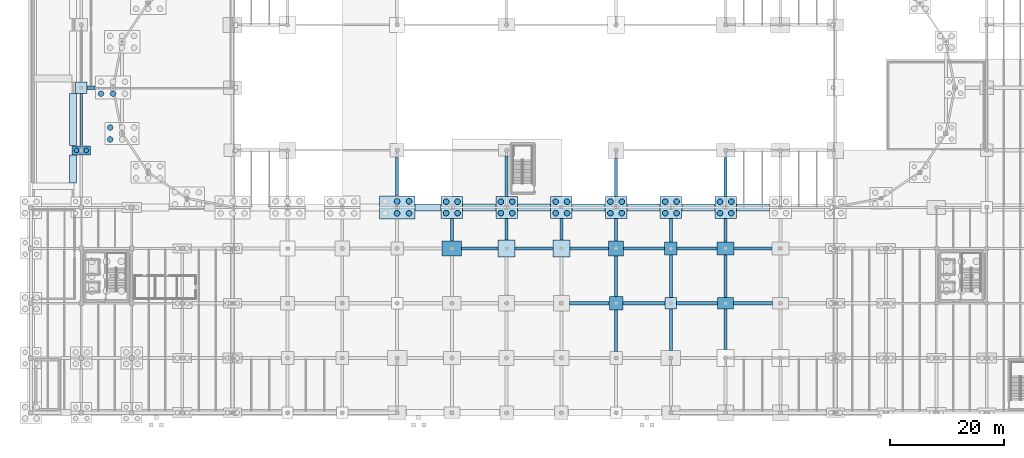
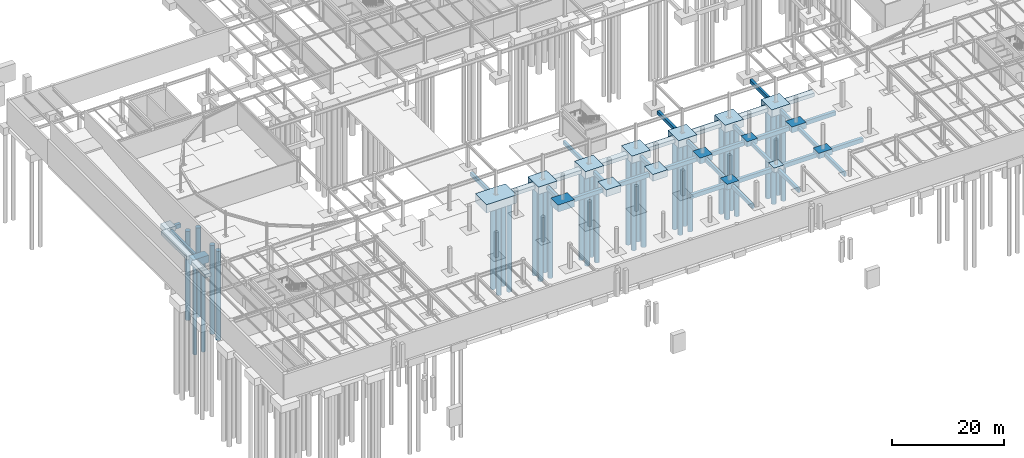
# One storey, part 4 of 50: 55 footings, 34 piles.
"""IFC4 building model written with IfcOpenShell, lengths in metres."""

from ifc_helpers import new_model, si_unit, direction, frame, origin, origin_2d, place, context, subcontext, project, spatial, polyline, rectangle, circle, outline, extrude, material, material_profile, profile_set, type_object, element, save


model = new_model("IFC4")

# Units and contexts
model_context = context("Model", 3, precision=1e-05, world=origin(), true_north=direction((0.0, 1.0)))
body_context = subcontext(model_context, "Body", "Model", "MODEL_VIEW")
ifc_project = project(units=[si_unit("LENGTHUNIT", "METRE"), si_unit("AREAUNIT", "SQUARE_METRE"), si_unit("VOLUMEUNIT", "CUBIC_METRE"), si_unit("PLANEANGLEUNIT", "RADIAN"), si_unit("MASSUNIT", "GRAM", prefix="KILO")], contexts=[model_context])

# Site, building, storey
site_placement = place(None, origin())
site = spatial("IfcSite", under=ifc_project, at=site_placement, CompositionType="ELEMENT")
building_placement = place(site_placement, origin())
building = spatial("IfcBuilding", under=site, at=building_placement, Name="Yeouljin Market Hall", CompositionType="ELEMENT")
storey_placement = place(building_placement, frame((0.0, 0.0, -5.39990234375)))
storey = spatial("IfcBuildingStorey", under=building, at=storey_placement, Name="B1", CompositionType="ELEMENT", Elevation=-5.39990234375)

# Footings
ifc_material_1 = material(Name="Concrete C35/45", Category="concrete")
ifc_material_profile_1 = material_profile(ifc_material_1, rectangle(XDim=0.5, YDim=0.800048828125, at=origin_2d()), Name="RC-500x800")
ifc_profile_set_1 = profile_set([ifc_material_profile_1], Name="Concrete C35/45")
footing_type_1 = type_object("IfcFootingType", Name="FootingBeam_500x800", PredefinedType="FOOTING_BEAM", material=ifc_profile_set_1)
footing_1_placement = place(storey_placement, frame((8.85009765625, 46.81005859375, -0.800048828125), z_axis=(0.0, 1.0, 0.0), x_axis=(-1.0, 0.0, 0.0)))
element("IfcFooting", 1, at=footing_1_placement, inside=storey, type_object=footing_type_1, Name="Foundation tie beam Y-143", PredefinedType="FOOTING_BEAM", context=body_context, shape_type="SweptSolid", body=[
    extrude(rectangle(XDim=0.5, YDim=0.800048828125, at=origin_2d()), origin(), (0.0, 0.0, 1.0), 9.179931640625),
])
footing_2_placement = place(storey_placement, frame((64.199951171875, 38.010009765625, -0.800048828125), z_axis=(0.0, 1.0, 0.0), x_axis=(-1.0, 0.0, 0.0)))
element("IfcFooting", 2, at=footing_2_placement, inside=storey, type_object=footing_type_1, Name="Foundation tie beam Y-185", PredefinedType="FOOTING_BEAM", context=body_context, shape_type="SweptSolid", body=[
    extrude(rectangle(XDim=0.5, YDim=0.800048828125, at=origin_2d()), origin(), (0.0, 0.0, 1.0), 6.780029296875),
])
footing_3_placement = place(storey_placement, frame((73.800048828125, 30.110107421875, -0.800048828125), z_axis=(0.0, 1.0, 0.0), x_axis=(-1.0, 0.0, 0.0)))
element("IfcFooting", 3, at=footing_3_placement, inside=storey, type_object=footing_type_1, Name="Foundation tie beam Y-191", PredefinedType="FOOTING_BEAM", context=body_context, shape_type="SweptSolid", body=[
    extrude(rectangle(XDim=0.5, YDim=0.800048828125, at=origin_2d()), origin(), (0.0, 0.0, 1.0), 3.97998046875),
])
footing_4_placement = place(storey_placement, frame((83.39990234375, 30.31005859375, -0.800048828125), z_axis=(0.0, 1.0, 0.0), x_axis=(-1.0, 0.0, 0.0)))
element("IfcFooting", 4, at=footing_4_placement, inside=storey, type_object=footing_type_1, Name="Foundation tie beam Y-196", PredefinedType="FOOTING_BEAM", context=body_context, shape_type="SweptSolid", body=[
    extrude(rectangle(XDim=0.5, YDim=0.800048828125, at=origin_2d()), origin(), (0.0, 0.0, 1.0), 3.780029296875),
])
footing_5_placement = place(storey_placement, frame((83.39990234375, 37.909912109375, -0.800048828125), z_axis=(0.0, 1.0, 0.0), x_axis=(-1.0, 0.0, 0.0)))
element("IfcFooting", 5, at=footing_5_placement, inside=storey, type_object=footing_type_1, Name="Foundation tie beam Y-197", PredefinedType="FOOTING_BEAM", context=body_context, shape_type="SweptSolid", body=[
    extrude(rectangle(XDim=0.5, YDim=0.800048828125, at=origin_2d()), origin(), (0.0, 0.0, 1.0), 7.080078125),
])
footing_6_placement = place(storey_placement, frame((93.0, 30.31005859375, -0.800048828125), z_axis=(0.0, 1.0, 0.0), x_axis=(-1.0, 0.0, 0.0)))
element("IfcFooting", 6, at=footing_6_placement, inside=storey, type_object=footing_type_1, Name="Foundation tie beam Y-206", PredefinedType="FOOTING_BEAM", context=body_context, shape_type="SweptSolid", body=[
    extrude(rectangle(XDim=0.5, YDim=0.800048828125, at=origin_2d()), origin(), (0.0, 0.0, 1.0), 3.780029296875),
])
footing_7_placement = place(storey_placement, frame((102.60009765625, 10.7099609375, -0.800048828125), z_axis=(0.0, 1.0, 0.0), x_axis=(-1.0, 0.0, 0.0)))
element("IfcFooting", 7, at=footing_7_placement, inside=storey, type_object=footing_type_1, Name="Foundation tie beam Y-212", PredefinedType="FOOTING_BEAM", context=body_context, shape_type="SweptSolid", body=[
    extrude(rectangle(XDim=0.5, YDim=0.800048828125, at=origin_2d()), origin(), (0.0, 0.0, 1.0), 7.280029296875),
])
footing_8_placement = place(storey_placement, frame((102.60009765625, 20.409912109375, -0.800048828125), z_axis=(0.0, 1.0, 0.0), x_axis=(-1.0, 0.0, 0.0)))
element("IfcFooting", 8, at=footing_8_placement, inside=storey, type_object=footing_type_1, Name="Foundation tie beam Y-213", PredefinedType="FOOTING_BEAM", context=body_context, shape_type="SweptSolid", body=[
    extrude(rectangle(XDim=0.5, YDim=0.800048828125, at=origin_2d()), origin(), (0.0, 0.0, 1.0), 7.080078125),
])
footing_9_placement = place(storey_placement, frame((102.60009765625, 30.110107421875, -0.800048828125), z_axis=(0.0, 1.0, 0.0), x_axis=(-1.0, 0.0, 0.0)))
element("IfcFooting", 9, at=footing_9_placement, inside=storey, type_object=footing_type_1, Name="Foundation tie beam Y-214", PredefinedType="FOOTING_BEAM", context=body_context, shape_type="SweptSolid", body=[
    extrude(rectangle(XDim=0.5, YDim=0.800048828125, at=origin_2d()), origin(), (0.0, 0.0, 1.0), 3.97998046875),
])
footing_10_placement = place(storey_placement, frame((102.60009765625, 37.909912109375, -0.800048828125), z_axis=(0.0, 1.0, 0.0), x_axis=(-1.0, 0.0, 0.0)))
element("IfcFooting", 10, at=footing_10_placement, inside=storey, type_object=footing_type_1, Name="Foundation tie beam Y-215", PredefinedType="FOOTING_BEAM", context=body_context, shape_type="SweptSolid", body=[
    extrude(rectangle(XDim=0.5, YDim=0.800048828125, at=origin_2d()), origin(), (0.0, 0.0, 1.0), 6.68017578125),
])
footing_11_placement = place(storey_placement, frame((112.199951171875, 10.909912109375, -0.800048828125), z_axis=(0.0, 1.0, 0.0), x_axis=(-1.0, 0.0, 0.0)))
element("IfcFooting", 11, at=footing_11_placement, inside=storey, type_object=footing_type_1, Name="Foundation tie beam Y-219", PredefinedType="FOOTING_BEAM", context=body_context, shape_type="SweptSolid", body=[
    extrude(rectangle(XDim=0.5, YDim=0.800048828125, at=origin_2d()), origin(), (0.0, 0.0, 1.0), 7.280029296875),
])
footing_12_placement = place(storey_placement, frame((112.199951171875, 20.2099609375, -0.800048828125), z_axis=(0.0, 1.0, 0.0), x_axis=(-1.0, 0.0, 0.0)))
element("IfcFooting", 12, at=footing_12_placement, inside=storey, type_object=footing_type_1, Name="Foundation tie beam Y-220", PredefinedType="FOOTING_BEAM", context=body_context, shape_type="SweptSolid", body=[
    extrude(rectangle(XDim=0.5, YDim=0.800048828125, at=origin_2d()), origin(), (0.0, 0.0, 1.0), 7.47998046875),
])
footing_13_placement = place(storey_placement, frame((112.199951171875, 29.909912109375, -0.800048828125), z_axis=(0.0, 1.0, 0.0), x_axis=(-1.0, 0.0, 0.0)))
element("IfcFooting", 13, at=footing_13_placement, inside=storey, type_object=footing_type_1, Name="Foundation tie beam Y-221", PredefinedType="FOOTING_BEAM", context=body_context, shape_type="SweptSolid", body=[
    extrude(rectangle(XDim=0.5, YDim=0.800048828125, at=origin_2d()), origin(), (0.0, 0.0, 1.0), 4.18017578125),
])
footing_14_placement = place(storey_placement, frame((121.800048828125, 11.110107421875, -0.800048828125), z_axis=(0.0, 1.0, 0.0), x_axis=(-1.0, 0.0, 0.0)))
element("IfcFooting", 14, at=footing_14_placement, inside=storey, type_object=footing_type_1, Name="Foundation tie beam Y-224", PredefinedType="FOOTING_BEAM", context=body_context, shape_type="SweptSolid", body=[
    extrude(rectangle(XDim=0.5, YDim=0.800048828125, at=origin_2d()), origin(), (0.0, 0.0, 1.0), 7.079833984375),
])
footing_15_placement = place(storey_placement, frame((121.800048828125, 20.2099609375, -0.800048828125), z_axis=(0.0, 1.0, 0.0), x_axis=(-1.0, 0.0, 0.0)))
element("IfcFooting", 15, at=footing_15_placement, inside=storey, type_object=footing_type_1, Name="Foundation tie beam Y-225", PredefinedType="FOOTING_BEAM", context=body_context, shape_type="SweptSolid", body=[
    extrude(rectangle(XDim=0.5, YDim=0.800048828125, at=origin_2d()), origin(), (0.0, 0.0, 1.0), 7.47998046875),
])
footing_16_placement = place(storey_placement, frame((121.800048828125, 29.909912109375, -0.800048828125), z_axis=(0.0, 1.0, 0.0), x_axis=(-1.0, 0.0, 0.0)))
element("IfcFooting", 16, at=footing_16_placement, inside=storey, type_object=footing_type_1, Name="Foundation tie beam Y-226", PredefinedType="FOOTING_BEAM", context=body_context, shape_type="SweptSolid", body=[
    extrude(rectangle(XDim=0.5, YDim=0.800048828125, at=origin_2d()), origin(), (0.0, 0.0, 1.0), 4.18017578125),
])
footing_17_placement = place(storey_placement, frame((121.800048828125, 37.909912109375, -0.800048828125), z_axis=(0.0, 1.0, 0.0), x_axis=(-1.0, 0.0, 0.0)))
element("IfcFooting", 17, at=footing_17_placement, inside=storey, type_object=footing_type_1, Name="Foundation tie beam Y-227", PredefinedType="FOOTING_BEAM", context=body_context, shape_type="SweptSolid", body=[
    extrude(rectangle(XDim=0.5, YDim=0.800048828125, at=origin_2d()), origin(), (0.0, 0.0, 1.0), 6.880126953125),
])
ifc_material_2 = material(Name="Concrete C35/45", Category="concrete")
ifc_material_profile_2 = material_profile(ifc_material_2, rectangle(XDim=0.60009765625, YDim=0.89990234375, at=origin_2d()), Name="RC-600x900")
ifc_profile_set_2 = profile_set([ifc_material_profile_2], Name="Concrete C35/45")
footing_type_2 = type_object("IfcFootingType", Name="FootingBeam_600x900", PredefinedType="FOOTING_BEAM", material=ifc_profile_set_2)
footing_18_placement = place(storey_placement, frame((94.409912109375, 19.199951171875, -0.85009765625), z_axis=(1.0, 0.0, 0.0), x_axis=(0.0, 1.0, 0.0)))
element("IfcFooting", 18, at=footing_18_placement, inside=storey, type_object=footing_type_2, Name="Foundation tie beam X-046", PredefinedType="FOOTING_BEAM", context=body_context, shape_type="SweptSolid", body=[
    extrude(rectangle(XDim=0.60009765625, YDim=0.89990234375, at=origin_2d()), origin(), (0.0, 0.0, 1.0), 6.97998046875),
])
footing_19_placement = place(storey_placement, frame((103.81005859375, 19.199951171875, -0.85009765625), z_axis=(1.0, 0.0, 0.0), x_axis=(0.0, 1.0, 0.0)))
element("IfcFooting", 19, at=footing_19_placement, inside=storey, type_object=footing_type_2, Name="Foundation tie beam X-047", PredefinedType="FOOTING_BEAM", context=body_context, shape_type="SweptSolid", body=[
    extrude(rectangle(XDim=0.60009765625, YDim=0.89990234375, at=origin_2d()), origin(), (0.0, 0.0, 1.0), 7.3798828125),
])
footing_20_placement = place(storey_placement, frame((113.2099609375, 19.199951171875, -0.85009765625), z_axis=(1.0, 0.0, 0.0), x_axis=(0.0, 1.0, 0.0)))
element("IfcFooting", 20, at=footing_20_placement, inside=storey, type_object=footing_type_2, Name="Foundation tie beam X-048", PredefinedType="FOOTING_BEAM", context=body_context, shape_type="SweptSolid", body=[
    extrude(rectangle(XDim=0.60009765625, YDim=0.89990234375, at=origin_2d()), origin(), (0.0, 0.0, 1.0), 7.179931640625),
])
footing_21_placement = place(storey_placement, frame((123.2099609375, 19.199951171875, -0.85009765625), z_axis=(1.0, 0.0, 0.0), x_axis=(0.0, 1.0, 0.0)))
element("IfcFooting", 21, at=footing_21_placement, inside=storey, type_object=footing_type_2, Name="Foundation tie beam X-049", PredefinedType="FOOTING_BEAM", context=body_context, shape_type="SweptSolid", body=[
    extrude(rectangle(XDim=0.60009765625, YDim=0.89990234375, at=origin_2d()), origin(), (0.0, 0.0, 1.0), 6.780029296875),
])
footing_22_placement = place(storey_placement, frame((75.510009765625, 28.800048828125, -0.85009765625), z_axis=(1.0, 0.0, 0.0), x_axis=(0.0, 1.0, 0.0)))
element("IfcFooting", 22, at=footing_22_placement, inside=storey, type_object=footing_type_2, Name="Foundation tie beam X-057", PredefinedType="FOOTING_BEAM", context=body_context, shape_type="SweptSolid", body=[
    extrude(rectangle(XDim=0.60009765625, YDim=0.89990234375, at=origin_2d()), origin(), (0.0, 0.0, 1.0), 6.3798828125),
])
footing_23_placement = place(storey_placement, frame((84.909912109375, 28.800048828125, -0.85009765625), z_axis=(1.0, 0.0, 0.0), x_axis=(0.0, 1.0, 0.0)))
element("IfcFooting", 23, at=footing_23_placement, inside=storey, type_object=footing_type_2, Name="Foundation tie beam X-058", PredefinedType="FOOTING_BEAM", context=body_context, shape_type="SweptSolid", body=[
    extrude(rectangle(XDim=0.60009765625, YDim=0.89990234375, at=origin_2d()), origin(), (0.0, 0.0, 1.0), 6.580078125),
])
footing_24_placement = place(storey_placement, frame((94.510009765625, 28.800048828125, -0.85009765625), z_axis=(1.0, 0.0, 0.0), x_axis=(0.0, 1.0, 0.0)))
element("IfcFooting", 24, at=footing_24_placement, inside=storey, type_object=footing_type_2, Name="Foundation tie beam X-059", PredefinedType="FOOTING_BEAM", context=body_context, shape_type="SweptSolid", body=[
    extrude(rectangle(XDim=0.60009765625, YDim=0.89990234375, at=origin_2d()), origin(), (0.0, 0.0, 1.0), 6.780029296875),
])
footing_25_placement = place(storey_placement, frame((103.909912109375, 28.800048828125, -0.85009765625), z_axis=(1.0, 0.0, 0.0), x_axis=(0.0, 1.0, 0.0)))
element("IfcFooting", 25, at=footing_25_placement, inside=storey, type_object=footing_type_2, Name="Foundation tie beam X-060", PredefinedType="FOOTING_BEAM", context=body_context, shape_type="SweptSolid", body=[
    extrude(rectangle(XDim=0.60009765625, YDim=0.89990234375, at=origin_2d()), origin(), (0.0, 0.0, 1.0), 7.18017578125),
])
footing_26_placement = place(storey_placement, frame((113.31005859375, 28.800048828125, -0.85009765625), z_axis=(1.0, 0.0, 0.0), x_axis=(0.0, 1.0, 0.0)))
element("IfcFooting", 26, at=footing_26_placement, inside=storey, type_object=footing_type_2, Name="Foundation tie beam X-061", PredefinedType="FOOTING_BEAM", context=body_context, shape_type="SweptSolid", body=[
    extrude(rectangle(XDim=0.60009765625, YDim=0.89990234375, at=origin_2d()), origin(), (0.0, 0.0, 1.0), 6.97998046875),
])
footing_27_placement = place(storey_placement, frame((123.31005859375, 28.800048828125, -0.85009765625), z_axis=(1.0, 0.0, 0.0), x_axis=(0.0, 1.0, 0.0)))
element("IfcFooting", 27, at=footing_27_placement, inside=storey, type_object=footing_type_2, Name="Foundation tie beam X-062", PredefinedType="FOOTING_BEAM", context=body_context, shape_type="SweptSolid", body=[
    extrude(rectangle(XDim=0.60009765625, YDim=0.89990234375, at=origin_2d()), origin(), (0.0, 0.0, 1.0), 6.579833984375),
])
footing_28_placement = place(storey_placement, frame((9.860107421875, 57.0, -0.85009765625), z_axis=(1.0, 0.0, 0.0), x_axis=(0.0, 1.0, 0.0)))
element("IfcFooting", 28, at=footing_28_placement, inside=storey, type_object=footing_type_2, Name="Foundation tie beam X-086", PredefinedType="FOOTING_BEAM", context=body_context, shape_type="SweptSolid", body=[
    extrude(rectangle(XDim=0.60009765625, YDim=0.89990234375, at=origin_2d()), origin(), (0.0, 0.0, 1.0), 1.429931640625),
])
ifc_material_3 = material(Name="Concrete C35/45", Category="concrete")
footing_type_3 = type_object("IfcFootingType", Name="PadFooting_2000x2000x1000", PredefinedType="PAD_FOOTING", material=ifc_material_3)
footing_29_placement = place(storey_placement, frame((0.0, 0.0, -1.0)))
element("IfcFooting", 29, at=footing_29_placement, inside=storey, type_object=footing_type_3, Name="Pile cap FPAD-001", PredefinedType="PAD_FOOTING", context=body_context, shape_type="SweptSolid", body=[
    extrude(outline(polyline([(7.85009765625, 56.0), (9.85009765625, 56.0), (9.85009765625, 58.0), (7.85009765625, 58.0), (7.85009765625, 56.0)])), origin(), (0.0, 0.0, 1.0), 1.0),
])
footing_30_placement = place(storey_placement, frame((0.0, 0.0, -1.0)))
element("IfcFooting", 30, at=footing_30_placement, inside=storey, type_object=footing_type_3, Name="Pile cap FPAD-071", PredefinedType="PAD_FOOTING", context=body_context, shape_type="SweptSolid", body=[
    extrude(outline(polyline([(111.199951171875, 18.199951171875), (113.199951171875, 18.199951171875), (113.199951171875, 20.199951171875), (111.199951171875, 20.199951171875), (111.199951171875, 18.199951171875)])), origin(), (0.0, 0.0, 1.0), 1.0),
])
ifc_material_4 = material(Name="Concrete C35/45", Category="concrete")
footing_type_4 = type_object("IfcFootingType", Name="PadFooting_2200x2200x1100", PredefinedType="PAD_FOOTING", material=ifc_material_4)
footing_31_placement = place(storey_placement, frame((0.0, 0.0, -1.10009765625)))
element("IfcFooting", 31, at=footing_31_placement, inside=storey, type_object=footing_type_4, Name="Pile cap FPAD-072", PredefinedType="PAD_FOOTING", context=body_context, shape_type="SweptSolid", body=[
    extrude(outline(polyline([(111.10009765625, 27.699951171875), (113.300048828125, 27.699951171875), (113.300048828125, 29.89990234375), (111.10009765625, 29.89990234375), (111.10009765625, 27.699951171875)])), origin(), (0.0, 0.0, 1.0), 1.10009765625),
])
ifc_material_5 = material(Name="Concrete C35/45", Category="concrete")
footing_type_5 = type_object("IfcFootingType", Name="PadFooting_2400x2400x1200", PredefinedType="PAD_FOOTING", material=ifc_material_5)
footing_32_placement = place(storey_placement, frame((0.0, 0.0, -1.2001953125)))
element("IfcFooting", 32, at=footing_32_placement, inside=storey, type_object=footing_type_5, Name="Pile cap FPAD-063", PredefinedType="PAD_FOOTING", context=body_context, shape_type="SweptSolid", body=[
    extrude(outline(polyline([(101.39990234375, 18.0), (103.800048828125, 18.0), (103.800048828125, 20.39990234375), (101.39990234375, 20.39990234375), (101.39990234375, 18.0)])), origin(), (0.0, 0.0, 1.0), 1.2001953125),
])
ifc_material_6 = material(Name="Concrete C35/45", Category="concrete")
footing_type_6 = type_object("IfcFootingType", Name="PadFooting_2600x2600x1300", PredefinedType="PAD_FOOTING", material=ifc_material_6)
footing_33_placement = place(storey_placement, frame((0.0, 0.0, -1.300048828125)))
element("IfcFooting", 33, at=footing_33_placement, inside=storey, type_object=footing_type_6, Name="Pile cap FPAD-064", PredefinedType="PAD_FOOTING", context=body_context, shape_type="SweptSolid", body=[
    extrude(outline(polyline([(101.300048828125, 27.5), (103.89990234375, 27.5), (103.89990234375, 30.10009765625), (101.300048828125, 30.10009765625), (101.300048828125, 27.5)])), origin(), (0.0, 0.0, 1.0), 1.300048828125),
])
ifc_material_7 = material(Name="Concrete C35/45", Category="concrete")
footing_type_7 = type_object("IfcFootingType", Name="PadFooting_2800x2000x1200", PredefinedType="PAD_FOOTING", material=ifc_material_7)
footing_34_placement = place(storey_placement, frame((0.0, 0.0, -1.2001953125)))
element("IfcFooting", 34, at=footing_34_placement, inside=storey, type_object=footing_type_7, Name="Pile cap FPAD-077", PredefinedType="PAD_FOOTING", context=body_context, shape_type="SweptSolid", body=[
    extrude(outline(polyline([(120.39990234375, 18.199951171875), (123.199951171875, 18.199951171875), (123.199951171875, 20.199951171875), (120.39990234375, 20.199951171875), (120.39990234375, 18.199951171875)])), origin(), (0.0, 0.0, 1.0), 1.2001953125),
])
ifc_material_8 = material(Name="Concrete C35/45", Category="concrete")
footing_type_8 = type_object("IfcFootingType", Name="PadFooting_3000x2200x1300", PredefinedType="PAD_FOOTING", material=ifc_material_8)
footing_35_placement = place(storey_placement, frame((0.0, 0.0, -1.300048828125)))
element("IfcFooting", 35, at=footing_35_placement, inside=storey, type_object=footing_type_8, Name="Pile cap FPAD-078", PredefinedType="PAD_FOOTING", context=body_context, shape_type="SweptSolid", body=[
    extrude(outline(polyline([(120.300048828125, 27.699951171875), (123.300048828125, 27.699951171875), (123.300048828125, 29.89990234375), (120.300048828125, 29.89990234375), (120.300048828125, 27.699951171875)])), origin(), (0.0, 0.0, 1.0), 1.300048828125),
])
ifc_material_9 = material(Name="Concrete C35/45", Category="concrete")
footing_type_9 = type_object("IfcFootingType", Name="PadFooting_3000x3000x1500", PredefinedType="PAD_FOOTING", material=ifc_material_9)
footing_36_placement = place(storey_placement, frame((0.0, 0.0, -1.5)))
element("IfcFooting", 36, at=footing_36_placement, inside=storey, type_object=footing_type_9, Name="Pile cap FPAD-046", PredefinedType="PAD_FOOTING", context=body_context, shape_type="SweptSolid", body=[
    extrude(outline(polyline([(81.89990234375, 27.300048828125), (84.89990234375, 27.300048828125), (84.89990234375, 30.300048828125), (81.89990234375, 30.300048828125), (81.89990234375, 27.300048828125)])), origin(), (0.0, 0.0, 1.0), 1.5),
])
footing_37_placement = place(storey_placement, frame((0.0, 0.0, -1.5)))
element("IfcFooting", 37, at=footing_37_placement, inside=storey, type_object=footing_type_9, Name="Pile cap FPAD-056", PredefinedType="PAD_FOOTING", context=body_context, shape_type="SweptSolid", body=[
    extrude(outline(polyline([(91.5, 27.300048828125), (94.5, 27.300048828125), (94.5, 30.300048828125), (91.5, 30.300048828125), (91.5, 27.300048828125)])), origin(), (0.0, 0.0, 1.0), 1.5),
])
ifc_material_10 = material(Name="Concrete C35/45", Category="concrete")
footing_type_10 = type_object("IfcFootingType", Name="PadFooting_3400x2600x1500", PredefinedType="PAD_FOOTING", material=ifc_material_10)
footing_38_placement = place(storey_placement, frame((0.0, 0.0, -1.5)))
element("IfcFooting", 38, at=footing_38_placement, inside=storey, type_object=footing_type_10, Name="Pile cap FPAD-040", PredefinedType="PAD_FOOTING", context=body_context, shape_type="SweptSolid", body=[
    extrude(outline(polyline([(72.10009765625, 27.5), (75.5, 27.5), (75.5, 30.10009765625), (72.10009765625, 30.10009765625), (72.10009765625, 27.5)])), origin(), (0.0, 0.0, 1.0), 1.5),
])
ifc_material_11 = material(Name="Concrete C35/45", Category="concrete")
footing_type_11 = type_object("IfcFootingType", Name="PileCap_2P_3200x1600x1600", PredefinedType="PILE_CAP", material=ifc_material_11)
footing_39_placement = place(storey_placement, frame((0.0, 0.0, -1.60009765625)))
element("IfcFooting", 39, at=footing_39_placement, inside=storey, type_object=footing_type_11, Name="Pile cap FCAP-C012", PredefinedType="PILE_CAP", context=body_context, shape_type="SweptSolid", body=[
    extrude(outline(polyline([(7.25, 45.199951171875), (10.449951171875, 45.199951171875), (10.449951171875, 46.800048828125), (7.25, 46.800048828125), (7.25, 45.199951171875)])), origin(), (0.0, 0.0, 1.0), 1.60009765625),
])
ifc_material_12 = material(Name="Concrete C35/45", Category="concrete")
footing_type_12 = type_object("IfcFootingType", Name="PileCap_4P_3800x3800x1600", PredefinedType="PILE_CAP", material=ifc_material_12)
footing_40_placement = place(storey_placement, frame((0.0, 0.0, -1.60009765625)))
element("IfcFooting", 40, at=footing_40_placement, inside=storey, type_object=footing_type_12, Name="Pile cap FCAP-C085", PredefinedType="PILE_CAP", context=body_context, shape_type="SweptSolid", body=[
    extrude(outline(polyline([(71.89990234375, 34.10009765625), (75.699951171875, 34.10009765625), (75.699951171875, 37.89990234375), (71.89990234375, 37.89990234375), (71.89990234375, 34.10009765625)])), origin(), (0.0, 0.0, 1.0), 1.60009765625),
])
footing_41_placement = place(storey_placement, frame((0.0, 0.0, -1.60009765625)))
element("IfcFooting", 41, at=footing_41_placement, inside=storey, type_object=footing_type_12, Name="Pile cap FCAP-C095", PredefinedType="PILE_CAP", context=body_context, shape_type="SweptSolid", body=[
    extrude(outline(polyline([(81.5, 34.10009765625), (85.300048828125, 34.10009765625), (85.300048828125, 37.89990234375), (81.5, 37.89990234375), (81.5, 34.10009765625)])), origin(), (0.0, 0.0, 1.0), 1.60009765625),
])
footing_42_placement = place(storey_placement, frame((0.0, 0.0, -1.60009765625)))
element("IfcFooting", 42, at=footing_42_placement, inside=storey, type_object=footing_type_12, Name="Pile cap FCAP-C107", PredefinedType="PILE_CAP", context=body_context, shape_type="SweptSolid", body=[
    extrude(outline(polyline([(91.10009765625, 34.10009765625), (94.89990234375, 34.10009765625), (94.89990234375, 37.89990234375), (91.10009765625, 37.89990234375), (91.10009765625, 34.10009765625)])), origin(), (0.0, 0.0, 1.0), 1.60009765625),
])
footing_43_placement = place(storey_placement, frame((0.0, 0.0, -1.60009765625)))
element("IfcFooting", 43, at=footing_43_placement, inside=storey, type_object=footing_type_12, Name="Pile cap FCAP-C117", PredefinedType="PILE_CAP", context=body_context, shape_type="SweptSolid", body=[
    extrude(outline(polyline([(100.699951171875, 34.10009765625), (104.5, 34.10009765625), (104.5, 37.89990234375), (100.699951171875, 37.89990234375), (100.699951171875, 34.10009765625)])), origin(), (0.0, 0.0, 1.0), 1.60009765625),
])
footing_44_placement = place(storey_placement, frame((0.0, 0.0, -1.60009765625)))
element("IfcFooting", 44, at=footing_44_placement, inside=storey, type_object=footing_type_12, Name="Pile cap FCAP-C129", PredefinedType="PILE_CAP", context=body_context, shape_type="SweptSolid", body=[
    extrude(outline(polyline([(110.300048828125, 34.10009765625), (114.10009765625, 34.10009765625), (114.10009765625, 37.89990234375), (110.300048828125, 37.89990234375), (110.300048828125, 34.10009765625)])), origin(), (0.0, 0.0, 1.0), 1.60009765625),
])
footing_45_placement = place(storey_placement, frame((0.0, 0.0, -1.60009765625)))
element("IfcFooting", 45, at=footing_45_placement, inside=storey, type_object=footing_type_12, Name="Pile cap FCAP-C139", PredefinedType="PILE_CAP", context=body_context, shape_type="SweptSolid", body=[
    extrude(outline(polyline([(119.89990234375, 34.10009765625), (123.699951171875, 34.10009765625), (123.699951171875, 37.89990234375), (119.89990234375, 37.89990234375), (119.89990234375, 34.10009765625)])), origin(), (0.0, 0.0, 1.0), 1.60009765625),
])
ifc_material_13 = material(Name="Concrete C35/45", Category="concrete")
footing_type_13 = type_object("IfcFootingType", Name="PileCap_6P_6200x4000x1800", PredefinedType="PILE_CAP", material=ifc_material_13)
footing_46_placement = place(storey_placement, frame((0.0, 0.0, -1.800048828125)))
element("IfcFooting", 46, at=footing_46_placement, inside=storey, type_object=footing_type_13, Name="Pile cap FCAP-C073", PredefinedType="PILE_CAP", context=body_context, shape_type="SweptSolid", body=[
    extrude(outline(polyline([(61.10009765625, 34.0), (67.300048828125, 34.0), (67.300048828125, 38.0), (61.10009765625, 38.0), (61.10009765625, 34.0)])), origin(), (0.0, 0.0, 1.0), 1.800048828125),
])

# Piles
ifc_material_14 = material(Name="Concrete C35/45", Category="concrete")
ifc_material_profile_3 = material_profile(ifc_material_14, circle(Radius=0.5, at=origin_2d()), Name="PILE-D1000")
ifc_profile_set_3 = profile_set([ifc_material_profile_3], Name="Concrete C35/45")
pile_type_1 = type_object("IfcPileType", Name="Pile_PILE-D1000", PredefinedType="BORED", material=ifc_profile_set_3)
for number, where, z_axis, x_axis, name in (
    (47, (12.300048828125, 55.949951171875, -1.7001953125), (0.0, 0.0, -1.0), (1.0, 0.0, 0.0), "Bored pile 093"),
    (48, (14.39990234375, 55.949951171875, -1.7001953125), (0.0, 0.0, -1.0), (1.0, 0.0, 0.0), "Bored pile 095"),
    (49, (13.89794921875, 47.9140625, -1.7001953125), (0.0, 0.0, -1.0), (1.0, 0.0, 0.0), "Bored pile 099"),
    (50, (13.89794921875, 50.013916015625, -1.7001953125), (0.0, 0.0, -1.0), (1.0, 0.0, 0.0), "Bored pile 100"),
    (51, (64.199951171875, 34.949951171875, -1.7001953125), (0.0, 0.0, -1.0), (1.0, 0.0, 0.0), "Bored pile 201"),
    (52, (64.199951171875, 37.050048828125, -1.7001953125), (0.0, 0.0, -1.0), (1.0, 0.0, 0.0), "Bored pile 202"),
    (53, (66.300048828125, 34.949951171875, -1.7001953125), (0.0, 0.0, -1.0), (1.0, 0.0, 0.0), "Bored pile 203"),
    (54, (66.300048828125, 37.050048828125, -1.7001953125), (0.0, 0.0, -1.0), (1.0, 0.0, 0.0), "Bored pile 204"),
):
    element("IfcPile", number, at=place(storey_placement, frame(where, z_axis=z_axis, x_axis=x_axis)), inside=storey, type_object=pile_type_1, Name=name, PredefinedType="BORED", context=body_context, shape_type="SweptSolid", body=[
        extrude(circle(Radius=0.5, at=origin_2d()), origin(), (0.0, 0.0, 1.0), 19.39990234375),
    ])
for number, where, z_axis, x_axis, name in (
    (55, (72.800048828125, 35.0, -1.5), (0.0, 0.0, -1.0), (1.0, 0.0, 0.0), "Bored pile 211"),
    (56, (72.800048828125, 37.0, -1.5), (0.0, 0.0, -1.0), (1.0, 0.0, 0.0), "Bored pile 212"),
    (57, (74.800048828125, 35.0, -1.5), (0.0, 0.0, -1.0), (1.0, 0.0, 0.0), "Bored pile 213"),
    (58, (74.800048828125, 37.0, -1.5), (0.0, 0.0, -1.0), (1.0, 0.0, 0.0), "Bored pile 214"),
    (59, (82.39990234375, 35.0, -1.5), (0.0, 0.0, -1.0), (1.0, 0.0, 0.0), "Bored pile 219"),
    (60, (82.39990234375, 37.0, -1.5), (0.0, 0.0, -1.0), (1.0, 0.0, 0.0), "Bored pile 220"),
    (61, (84.39990234375, 35.0, -1.5), (0.0, 0.0, -1.0), (1.0, 0.0, 0.0), "Bored pile 221"),
    (62, (84.39990234375, 37.0, -1.5), (0.0, 0.0, -1.0), (1.0, 0.0, 0.0), "Bored pile 222"),
    (63, (92.0, 35.0, -1.5), (0.0, 0.0, -1.0), (1.0, 0.0, 0.0), "Bored pile 227"),
    (64, (92.0, 37.0, -1.5), (0.0, 0.0, -1.0), (1.0, 0.0, 0.0), "Bored pile 228"),
    (65, (94.0, 35.0, -1.5), (0.0, 0.0, -1.0), (1.0, 0.0, 0.0), "Bored pile 229"),
    (66, (94.0, 37.0, -1.5), (0.0, 0.0, -1.0), (1.0, 0.0, 0.0), "Bored pile 230"),
    (67, (101.60009765625, 35.0, -1.5), (0.0, 0.0, -1.0), (1.0, 0.0, 0.0), "Bored pile 235"),
    (68, (101.60009765625, 37.0, -1.5), (0.0, 0.0, -1.0), (1.0, 0.0, 0.0), "Bored pile 236"),
    (69, (103.60009765625, 35.0, -1.5), (0.0, 0.0, -1.0), (1.0, 0.0, 0.0), "Bored pile 237"),
    (70, (103.60009765625, 37.0, -1.5), (0.0, 0.0, -1.0), (1.0, 0.0, 0.0), "Bored pile 238"),
    (71, (111.199951171875, 35.0, -1.5), (0.0, 0.0, -1.0), (1.0, 0.0, 0.0), "Bored pile 243"),
    (72, (111.199951171875, 37.0, -1.5), (0.0, 0.0, -1.0), (1.0, 0.0, 0.0), "Bored pile 244"),
    (73, (113.199951171875, 35.0, -1.5), (0.0, 0.0, -1.0), (1.0, 0.0, 0.0), "Bored pile 245"),
    (74, (113.199951171875, 37.0, -1.5), (0.0, 0.0, -1.0), (1.0, 0.0, 0.0), "Bored pile 246"),
    (75, (120.800048828125, 35.0, -1.5), (0.0, 0.0, -1.0), (1.0, 0.0, 0.0), "Bored pile 251"),
    (76, (120.800048828125, 37.0, -1.5), (0.0, 0.0, -1.0), (1.0, 0.0, 0.0), "Bored pile 252"),
    (77, (122.800048828125, 35.0, -1.5), (0.0, 0.0, -1.0), (1.0, 0.0, 0.0), "Bored pile 253"),
    (78, (122.800048828125, 37.0, -1.5), (0.0, 0.0, -1.0), (1.0, 0.0, 0.0), "Bored pile 254"),
):
    element("IfcPile", number, at=place(storey_placement, frame(where, z_axis=z_axis, x_axis=x_axis)), inside=storey, type_object=pile_type_1, Name=name, PredefinedType="BORED", context=body_context, shape_type="SweptSolid", body=[
        extrude(circle(Radius=0.5, at=origin_2d()), origin(), (0.0, 0.0, 1.0), 19.60009765625),
    ])
ifc_material_15 = material(Name="Concrete C35/45", Category="concrete")
ifc_material_profile_4 = material_profile(ifc_material_15, circle(Radius=0.39990234375, at=origin_2d()), Name="PILE-D800")
ifc_profile_set_4 = profile_set([ifc_material_profile_4], Name="Concrete C35/45")
pile_type_2 = type_object("IfcPileType", Name="Pile_PILE-D800", PredefinedType="BORED", material=ifc_profile_set_4)
for number, where, z_axis, x_axis, name in (
    (79, (8.0, 46.0, -1.5), (0.0, 0.0, -1.0), (1.0, 0.0, 0.0), "Bored pile 091"),
    (80, (9.699951171875, 46.0, -1.5), (0.0, 0.0, -1.0), (1.0, 0.0, 0.0), "Bored pile 092"),
):
    element("IfcPile", number, at=place(storey_placement, frame(where, z_axis=z_axis, x_axis=x_axis)), inside=storey, type_object=pile_type_2, Name=name, PredefinedType="BORED", context=body_context, shape_type="SweptSolid", body=[
        extrude(circle(Radius=0.39990234375, at=origin_2d()), origin(), (0.0, 0.0, 1.0), 19.60009765625),
    ])

# Footings
ifc_material_16 = material(Name="Concrete C35/45", Category="concrete")
ifc_material_profile_5 = material_profile(ifc_material_16, rectangle(XDim=1.199951171875, YDim=0.800048828125, at=origin_2d()), Name="SF-1200x800")
ifc_profile_set_5 = profile_set([ifc_material_profile_5], Name="Concrete C35/45")
footing_type_14 = type_object("IfcFootingType", Name="StripFooting_1200x800", PredefinedType="STRIP_FOOTING", material=ifc_profile_set_5)
footing_47_placement = place(storey_placement, frame((67.31005859375, 36.0, -0.800048828125), z_axis=(1.0, 0.0, 0.0), x_axis=(0.0, 1.0, 0.0)))
element("IfcFooting", 81, at=footing_47_placement, inside=storey, type_object=footing_type_14, Name="Foundation tie beam X-072", PredefinedType="STRIP_FOOTING", context=body_context, shape_type="SweptSolid", body=[
    extrude(rectangle(XDim=1.199951171875, YDim=0.800048828125, at=origin_2d()), origin(), (0.0, 0.0, 1.0), 4.579833984375),
])
for number, where, z_axis, x_axis, name in (
    (82, (75.7099609375, 36.0, -0.800048828125), (1.0, 0.0, 0.0), (0.0, 1.0, 0.0), "Foundation tie beam X-073"),
    (83, (85.31005859375, 36.0, -0.800048828125), (1.0, 0.0, 0.0), (0.0, 1.0, 0.0), "Foundation tie beam X-074"),
    (84, (94.909912109375, 36.0, -0.800048828125), (1.0, 0.0, 0.0), (0.0, 1.0, 0.0), "Foundation tie beam X-075"),
    (85, (104.510009765625, 36.0, -0.800048828125), (1.0, 0.0, 0.0), (0.0, 1.0, 0.0), "Foundation tie beam X-076"),
):
    element("IfcFooting", number, at=place(storey_placement, frame(where, z_axis=z_axis, x_axis=x_axis)), inside=storey, type_object=footing_type_14, Name=name, PredefinedType="STRIP_FOOTING", context=body_context, shape_type="SweptSolid", body=[
        extrude(rectangle(XDim=1.199951171875, YDim=0.800048828125, at=origin_2d()), origin(), (0.0, 0.0, 1.0), 5.780029296875),
    ])
footing_48_placement = place(storey_placement, frame((114.110107421875, 36.0, -0.800048828125), z_axis=(1.0, 0.0, 0.0), x_axis=(0.0, 1.0, 0.0)))
element("IfcFooting", 86, at=footing_48_placement, inside=storey, type_object=footing_type_14, Name="Foundation tie beam X-077", PredefinedType="STRIP_FOOTING", context=body_context, shape_type="SweptSolid", body=[
    extrude(rectangle(XDim=1.199951171875, YDim=0.800048828125, at=origin_2d()), origin(), (0.0, 0.0, 1.0), 5.77978515625),
])
footing_49_placement = place(storey_placement, frame((123.7099609375, 36.0, -0.800048828125), z_axis=(1.0, 0.0, 0.0), x_axis=(0.0, 1.0, 0.0)))
element("IfcFooting", 87, at=footing_49_placement, inside=storey, type_object=footing_type_14, Name="Foundation tie beam X-078", PredefinedType="STRIP_FOOTING", context=body_context, shape_type="SweptSolid", body=[
    extrude(rectangle(XDim=1.199951171875, YDim=0.800048828125, at=origin_2d()), origin(), (0.0, 0.0, 1.0), 5.780029296875),
])
footing_50_placement = place(storey_placement, frame((7.3798828125, 40.31005859375, -0.400146484375), z_axis=(0.0, 1.0, 0.0), x_axis=(-1.0, 0.0, 0.0)))
element("IfcFooting", 88, at=footing_50_placement, inside=storey, type_object=footing_type_14, Name="Vehicular ramp east retaining wall strip footing 1", PredefinedType="STRIP_FOOTING", context=body_context, shape_type="SweptSolid", body=[
    extrude(rectangle(XDim=1.199951171875, YDim=0.800048828125, at=origin_2d()), origin(), (0.0, 0.0, 1.0), 4.8798828125),
])
footing_51_placement = place(storey_placement, frame((7.3798828125, 46.81005859375, -0.400146484375), z_axis=(0.0, 1.0, 0.0), x_axis=(-1.0, 0.0, 0.0)))
element("IfcFooting", 89, at=footing_51_placement, inside=storey, type_object=footing_type_14, Name="Vehicular ramp east retaining wall strip footing 2", PredefinedType="STRIP_FOOTING", context=body_context, shape_type="SweptSolid", body=[
    extrude(rectangle(XDim=1.199951171875, YDim=0.800048828125, at=origin_2d()), origin(), (0.0, 0.0, 1.0), 9.179931640625),
])

save(model, "model.ifc")
